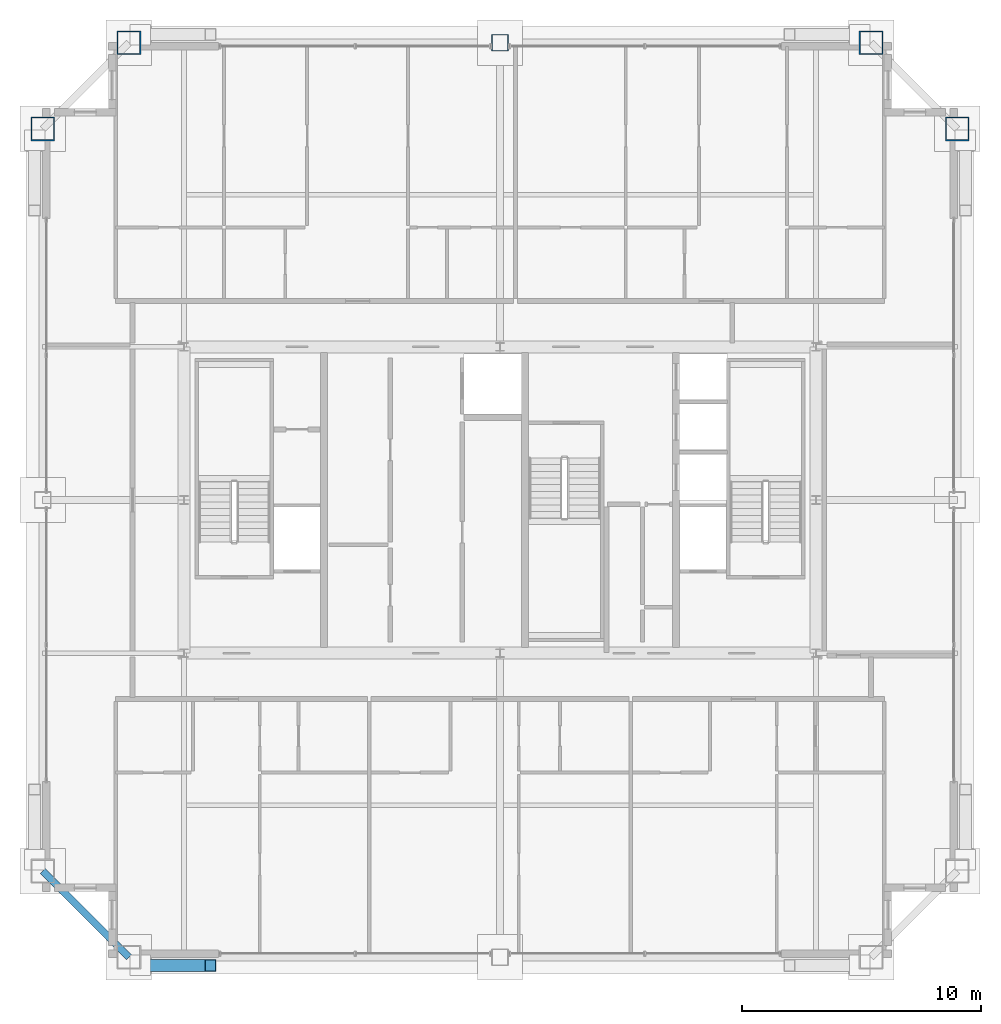
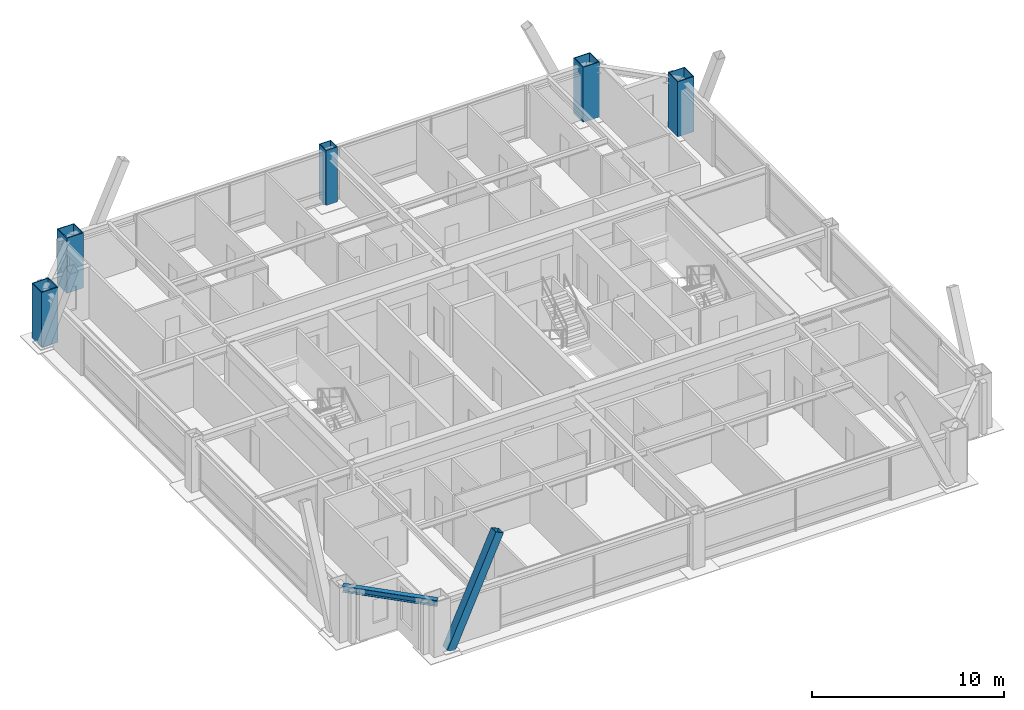
# One storey, part 3 of 35: 5 columns, 1 beam, 1 member.
"""IFC4 building model written with IfcOpenShell, lengths in metres."""

from ifc_helpers import new_model, si_unit, direction, frame, origin, origin_2d, place, context, subcontext, project, spatial, hollow_rectangle, i_section, extrude, source, transform, mapped, material, material_profile, profile_set, type_object, element, save


model = new_model("IFC4")

# Units and contexts
model_context = context("Model", 3, precision=1e-05, world=origin(), true_north=direction((0.0, 1.0)))
body_context = subcontext(model_context, "Body", "Model", "MODEL_VIEW")
ifc_project = project(units=[si_unit("LENGTHUNIT", "METRE"), si_unit("AREAUNIT", "SQUARE_METRE"), si_unit("VOLUMEUNIT", "CUBIC_METRE"), si_unit("PLANEANGLEUNIT", "RADIAN"), si_unit("MASSUNIT", "GRAM", prefix="KILO"), si_unit("THERMODYNAMICTEMPERATUREUNIT", "KELVIN"), si_unit("POWERUNIT", "WATT")], contexts=[model_context])

# Site, building, storey
site_placement = place(None, origin())
site = spatial("IfcSite", under=ifc_project, at=site_placement, CompositionType="ELEMENT")
building_placement = place(site_placement, origin())
building = spatial("IfcBuilding", under=site, at=building_placement, Name="Yuzanri Waterfront Tower", CompositionType="ELEMENT")
storey_placement = place(building_placement, frame((0.0, 0.0, 285.60009765625)))
storey = spatial("IfcBuildingStorey", under=building, at=storey_placement, Name="L76", CompositionType="ELEMENT", Elevation=285.60009765625)

# Columns
ifc_material_1 = material(Name="Steel Q355B", Category="steel")
ifc_material_profile_1 = material_profile(ifc_material_1, hollow_rectangle(XDim=0.699951171875, YDim=0.699951171875, WallThickness=0.031982421875, at=origin_2d()), Name="RHS 700x700x32")
ifc_profile_set_1 = profile_set([ifc_material_profile_1], Name="Steel Q355B")
column_type_1 = type_object("IfcColumnType", Name="Frame Column Q355B RHS 700x700x32", PredefinedType="COLUMN", material=ifc_profile_set_1)
shared_shape_1 = source(origin(), body_context, "Body", "SweptSolid", [
    extrude(hollow_rectangle(XDim=0.699951171875, YDim=0.699951171875, WallThickness=0.031982421875, at=origin_2d()), origin(), (0.0, 0.0, 1.0), 3.5),
])
column_placement = place(storey_placement, frame((37.0, 44.89990234375, 0.0), z_axis=(0.0, 0.0, 1.0), x_axis=(1.0, 0.0, 0.0)))
element("IfcColumn", 1, at=column_placement, inside=storey, type_object=column_type_1, Name="L76 Perimeter Frame Column N2", PredefinedType="COLUMN", context=body_context, shape_type="MappedRepresentation", body=[
    mapped(shared_shape_1, transform((0.0, 0.0, 0.0), scale=1.0)),
])
ifc_material_2 = material(Name="Steel Q390GJC", Category="steel")
ifc_material_profile_2 = material_profile(ifc_material_2, hollow_rectangle(XDim=1.0, YDim=1.0, WallThickness=0.048095703125, at=origin_2d()), Name="RHS 1000x1000x48")
ifc_profile_set_2 = profile_set([ifc_material_profile_2], Name="Steel Q390GJC")
column_type_2 = type_object("IfcColumnType", Name="Mega Column Q390GJC RHS 1000x1000x48", PredefinedType="COLUMN", material=ifc_profile_set_2)
shared_shape_2 = source(origin(), body_context, "Body", "SweptSolid", [
    extrude(hollow_rectangle(XDim=1.0, YDim=1.0, WallThickness=0.048095703125, at=origin_2d()), origin(), (0.0, 0.0, 1.0), 3.5),
])
for number, where, z_axis, x_axis, name in (
    (2, (21.5, 44.89990234375, 0.0), (0.0, 0.0, 1.0), (1.0, 0.0, 0.0), "L76 Perimeter Mega Column N1"),
    (3, (52.5, 44.89990234375, 0.0), (0.0, 0.0, 1.0), (1.0, 0.0, 0.0), "L76 Perimeter Mega Column N3"),
    (4, (17.89990234375, 41.300048828125, 0.0), (0.0, 0.0, 1.0), (1.0, 0.0, 0.0), "L76 Perimeter Mega Column W3"),
    (5, (56.10009765625, 41.300048828125, 0.0), (0.0, 0.0, 1.0), (1.0, 0.0, 0.0), "L76 Perimeter Mega Column E3"),
):
    element("IfcColumn", number, at=place(storey_placement, frame(where, z_axis=z_axis, x_axis=x_axis)), inside=storey, type_object=column_type_2, Name=name, PredefinedType="COLUMN", context=body_context, shape_type="MappedRepresentation", body=[
        mapped(shared_shape_2, transform((0.0, 0.0, 0.0), scale=1.0)),
    ])

# Beam
ifc_material_3 = material(Name="Steel Q355B", Category="steel")
ifc_material_profile_3 = material_profile(ifc_material_3, i_section(OverallWidth=0.300048828125, OverallDepth=0.389892578125, WebThickness=0.010009765625, FlangeThickness=0.01611328125, at=origin_2d()), Name="HM 390x300x10x16")
ifc_profile_set_3 = profile_set([ifc_material_profile_3], Name="Steel Q355B")
beam_type = type_object("IfcBeamType", Name="Perimeter Spandrel Q355B HM 390x300", PredefinedType="SPANDREL", material=ifc_profile_set_3)
shared_shape_3 = source(origin(), body_context, "Body", "SweptSolid", [
    extrude(i_section(OverallWidth=0.300048828125, OverallDepth=0.389892578125, WebThickness=0.010009765625, FlangeThickness=0.01611328125, at=origin_2d()), origin(), (0.0, 0.0, 1.0), 5.09130859375),
])
beam_placement = place(storey_placement, frame((17.89990234375, 10.300048828125, 3.0849609375), z_axis=(0.707106781187, -0.707106781187, 0.0), x_axis=(0.707106781187, 0.707106781187, 0.0)))
element("IfcBeam", 6, at=beam_placement, inside=storey, type_object=beam_type, Name="L76 Perimeter Spandrel W1-S1", PredefinedType="SPANDREL", context=body_context, shape_type="MappedRepresentation", body=[
    mapped(shared_shape_3, transform((0.0, 0.0, 0.0), scale=1.0)),
])

# Member
ifc_material_4 = material(Name="Steel Q390GJC", Category="steel")
ifc_material_profile_4 = material_profile(ifc_material_4, hollow_rectangle(XDim=0.5, YDim=0.5, WallThickness=0.02197265625, at=origin_2d()), Name="RHS 500x500x22")
ifc_profile_set_4 = profile_set([ifc_material_profile_4], Name="Steel Q390GJC")
member_type = type_object("IfcMemberType", Name="Mega Brace Upper Q390GJC RHS 500x500x22", PredefinedType="BRACE", material=ifc_profile_set_4)
shared_shape_4 = source(origin(), body_context, "Body", "SweptSolid", [
    extrude(hollow_rectangle(XDim=0.5, YDim=0.5, WallThickness=0.02197265625, at=origin_2d()), origin(), (0.0, 0.0, 1.0), 7.125732421875),
])
member_placement = place(storey_placement, frame((21.97998046875, 6.360107421875, 0.179931640625), z_axis=(0.409771952938, 0.0, 0.912187999584), x_axis=(0.0, 1.0, 0.0)))
element("IfcMember", 7, at=member_placement, inside=storey, type_object=member_type, Name="L76-L77 Perimeter Mega-Brace S-L", PredefinedType="BRACE", context=body_context, shape_type="MappedRepresentation", body=[
    mapped(shared_shape_4, transform((0.0, 0.0, 0.0), scale=1.0)),
])

save(model, "model.ifc")
